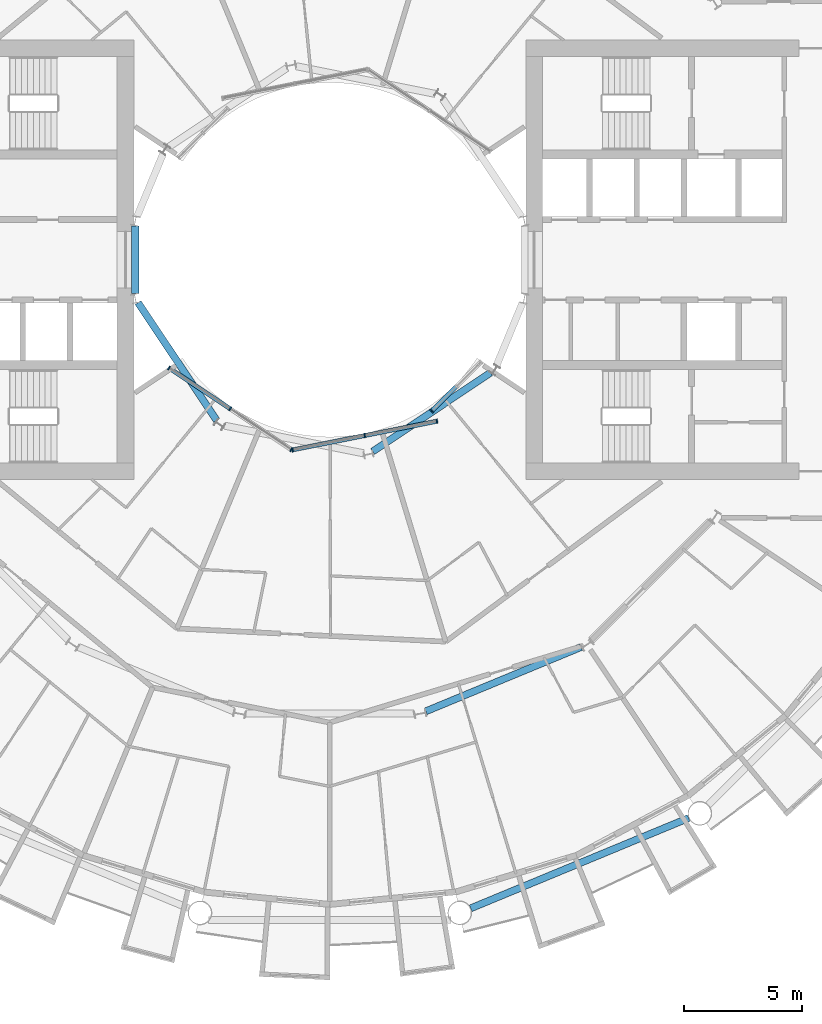
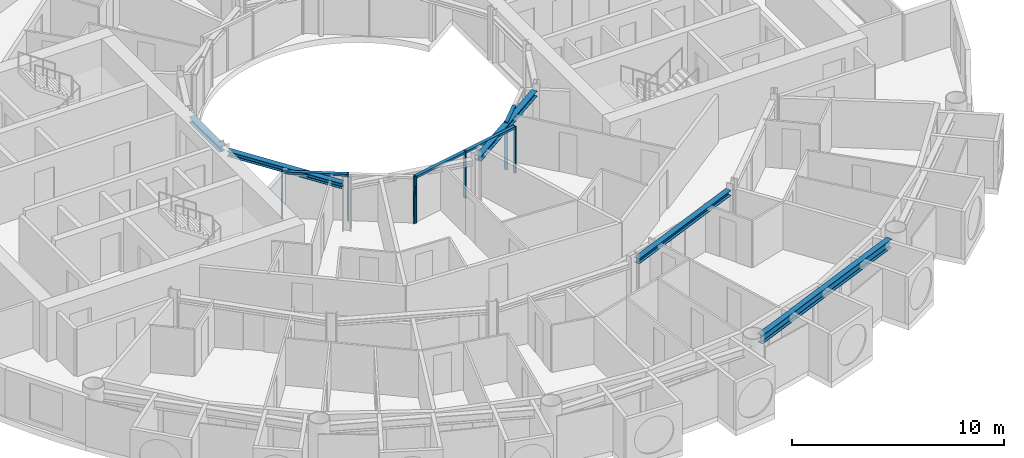
# One storey, part 5 of 26: 11 members, 5 beams, 3 elements without a shape of their own.
"""IFC4 building model written with IfcOpenShell, lengths in metres."""

from ifc_helpers import new_model, si_unit, direction, frame, origin, origin_2d, place, context, subcontext, project, spatial, rectangle, i_section, extrude, material, layer, layer_set, material_profile, profile_set, type_object, element, aggregate, save


model = new_model("IFC4")

# Units and contexts
model_context = context("Model", 3, precision=1e-05, world=origin(), true_north=direction((0.0, 1.0)))
body_context = subcontext(model_context, "Body", "Model", "MODEL_VIEW")
ifc_project = project(units=[si_unit("LENGTHUNIT", "METRE"), si_unit("AREAUNIT", "SQUARE_METRE"), si_unit("VOLUMEUNIT", "CUBIC_METRE"), si_unit("PLANEANGLEUNIT", "RADIAN"), si_unit("MASSUNIT", "GRAM", prefix="KILO")], contexts=[model_context])

# Site, building, storey
site_placement = place(None, origin())
site = spatial("IfcSite", under=ifc_project, at=site_placement, CompositionType="ELEMENT")
building_placement = place(site_placement, origin())
building = spatial("IfcBuilding", under=site, at=building_placement, Name="Maasbend Ring Residences", CompositionType="ELEMENT")
storey_placement = place(building_placement, frame((0.0, 0.0, 69.699951171875)))
storey = spatial("IfcBuildingStorey", under=building, at=storey_placement, Name="L19", CompositionType="ELEMENT", Elevation=69.699951171875)

# Curtain wall, members
ifc_material_1 = material(Name="Aluminium and clear glass", Category="aluminium")
ifc_layer = layer(ifc_material_1, 0.179931640625)
ifc_layer_set = layer_set([ifc_layer], Name="CW-W")
curtain_wall_type = type_object("IfcCurtainWallType", Name="CW-W", PredefinedType="NOTDEFINED", material=ifc_layer_set)
curtain_wall_1_placement = place(storey_placement, origin())
curtain_wall_1 = element("IfcCurtainWall", 1, at=curtain_wall_1_placement, inside=storey, type_object=curtain_wall_type, Name="Well curtain wall S1", PredefinedType="NOTDEFINED")
ifc_material_2 = material(Name="Aluminium 6063-T6", Category="aluminium")
ifc_material_profile_1 = material_profile(ifc_material_2, rectangle(XDim=0.179931640625, YDim=0.06005859375, at=origin_2d()), Name="AL 180x60")
ifc_profile_set_1 = profile_set([ifc_material_profile_1], Name="Aluminium 6063-T6")
member_type_1 = type_object("IfcMemberType", Name="CWM-W", PredefinedType="MULLION", material=ifc_profile_set_1)
member_1_placement = place(storey_placement, frame((-6.805908203125, -4.580810546875, 0.0), z_axis=(0.0, 0.0, 1.0), x_axis=(0.55557023302, 0.831469612303, 0.0)))
member_1 = element("IfcMember", 2, at=member_1_placement, type_object=member_type_1, Name="Mullion well face", PredefinedType="MULLION", context=body_context, shape_type="SweptSolid", body=[
    extrude(rectangle(XDim=0.179931640625, YDim=0.06005859375, at=origin_2d()), origin(), (0.0, 0.0, 1.0), 2.699951171875),
])
member_2_placement = place(storey_placement, frame((-4.216796875, -6.310791015625, 0.0), z_axis=(0.0, 0.0, 1.0), x_axis=(0.55557023302, 0.831469612303, 0.0)))
member_2 = element("IfcMember", 3, at=member_2_placement, type_object=member_type_1, Name="Mullion well face", PredefinedType="MULLION", context=body_context, shape_type="SweptSolid", body=[
    extrude(rectangle(XDim=0.179931640625, YDim=0.06005859375, at=origin_2d()), origin(), (0.0, 0.0, 1.0), 2.699951171875),
])
member_3_placement = place(storey_placement, frame((-1.627685546875, -8.040771484375, 0.0), z_axis=(0.0, 0.0, 1.0), x_axis=(0.55557023302, 0.831469612303, 0.0)))
member_3 = element("IfcMember", 4, at=member_3_placement, type_object=member_type_1, Name="Mullion well face", PredefinedType="MULLION", context=body_context, shape_type="SweptSolid", body=[
    extrude(rectangle(XDim=0.179931640625, YDim=0.06005859375, at=origin_2d()), origin(), (0.0, 0.0, 1.0), 2.699951171875),
])

curtain_wall_2_placement = place(storey_placement, origin())
curtain_wall_2 = element("IfcCurtainWall", 5, at=curtain_wall_2_placement, inside=storey, type_object=curtain_wall_type, Name="Well curtain wall S2", PredefinedType="NOTDEFINED")
member_4_placement = place(storey_placement, frame((-1.5732421875, -8.0517578125, 0.0), z_axis=(0.0, 0.0, 1.0), x_axis=(-0.195090322016, 0.980785280403, 0.0)))
member_4 = element("IfcMember", 6, at=member_4_placement, type_object=member_type_1, Name="Mullion well face", PredefinedType="MULLION", context=body_context, shape_type="SweptSolid", body=[
    extrude(rectangle(XDim=0.179931640625, YDim=0.06005859375, at=origin_2d()), origin(), (0.0, 0.0, 1.0), 2.699951171875),
])
member_5_placement = place(storey_placement, frame((1.480712890625, -7.444091796875, 0.0), z_axis=(0.0, 0.0, 1.0), x_axis=(-0.195090322016, 0.980785280403, 0.0)))
member_5 = element("IfcMember", 7, at=member_5_placement, type_object=member_type_1, Name="Mullion well face", PredefinedType="MULLION", context=body_context, shape_type="SweptSolid", body=[
    extrude(rectangle(XDim=0.179931640625, YDim=0.06005859375, at=origin_2d()), origin(), (0.0, 0.0, 1.0), 2.699951171875),
])
member_6_placement = place(storey_placement, frame((4.53466796875, -6.836669921875, 0.0), z_axis=(0.0, 0.0, 1.0), x_axis=(-0.195090322016, 0.980785280403, 0.0)))
member_6 = element("IfcMember", 8, at=member_6_placement, type_object=member_type_1, Name="Mullion well face", PredefinedType="MULLION", context=body_context, shape_type="SweptSolid", body=[
    extrude(rectangle(XDim=0.179931640625, YDim=0.06005859375, at=origin_2d()), origin(), (0.0, 0.0, 1.0), 2.699951171875),
])

# Curtain wall, member
curtain_wall_3_placement = place(storey_placement, origin())
curtain_wall_3 = element("IfcCurtainWall", 9, at=curtain_wall_3_placement, inside=storey, type_object=curtain_wall_type, Name="Well curtain wall S3", PredefinedType="NOTDEFINED")
member_7_placement = place(storey_placement, frame((4.320556640625, -6.413330078125, 0.0), z_axis=(0.0, 0.0, 1.0), x_axis=(-0.707106781187, 0.707106781187, 0.0)))
member_7 = element("IfcMember", 10, at=member_7_placement, type_object=member_type_1, Name="Mullion well face", PredefinedType="MULLION", context=body_context, shape_type="SweptSolid", body=[
    extrude(rectangle(XDim=0.179931640625, YDim=0.06005859375, at=origin_2d()), origin(), (0.0, 0.0, 1.0), 2.699951171875),
])

# Member
ifc_material_3 = material(Name="Aluminium 6063-T6", Category="aluminium")
ifc_material_profile_2 = material_profile(ifc_material_3, rectangle(XDim=0.179931640625, YDim=0.1201171875, at=origin_2d()), Name="AL 180x120")
ifc_profile_set_2 = profile_set([ifc_material_profile_2], Name="Aluminium 6063-T6")
member_type_2 = type_object("IfcMemberType", Name="CWT-W", PredefinedType="USERDEFINED", material=ifc_profile_set_2)
member_8_placement = place(storey_placement, frame((-6.781005859375, -4.59765625, 2.64013671875), z_axis=(0.831496422459, -0.555530106689, 0.0), x_axis=(0.555530106689, 0.831496422459, 0.0)))
member_8 = element("IfcMember", 11, at=member_8_placement, type_object=member_type_2, Name="Transom well face", ObjectType="TRANSOM", PredefinedType="USERDEFINED", context=body_context, shape_type="SweptSolid", body=[
    extrude(rectangle(XDim=0.179931640625, YDim=0.1201171875, at=origin_2d()), origin(), (0.0, 0.0, 1.0), 3.053955078125),
])

aggregate(curtain_wall_1, [member_1, member_2, member_3, member_8])

member_9_placement = place(storey_placement, frame((-1.5439453125, -8.0458984375, 2.64013671875), z_axis=(0.980776956105, 0.195132166424, 0.0), x_axis=(-0.195132166424, 0.980776956105, 0.0)))
member_9 = element("IfcMember", 12, at=member_9_placement, type_object=member_type_2, Name="Transom well face", ObjectType="TRANSOM", PredefinedType="USERDEFINED", context=body_context, shape_type="SweptSolid", body=[
    extrude(rectangle(XDim=0.179931640625, YDim=0.1201171875, at=origin_2d()), origin(), (0.0, 0.0, 1.0), 3.053955078125),
])

member_10_placement = place(storey_placement, frame((1.51025390625, -7.438232421875, 2.64013671875), z_axis=(0.980789210404, 0.19507056353, 0.0), x_axis=(-0.19507056353, 0.980789210404, 0.0)))
member_10 = element("IfcMember", 13, at=member_10_placement, type_object=member_type_2, Name="Transom well face", ObjectType="TRANSOM", PredefinedType="USERDEFINED", context=body_context, shape_type="SweptSolid", body=[
    extrude(rectangle(XDim=0.179931640625, YDim=0.1201171875, at=origin_2d()), origin(), (0.0, 0.0, 1.0), 3.0537109375),
])

aggregate(curtain_wall_2, [member_4, member_5, member_6, member_9, member_10])

member_11_placement = place(storey_placement, frame((4.341796875, -6.39208984375, 2.64013671875), z_axis=(0.707106781187, 0.707106781187, 0.0), x_axis=(-0.707106781187, 0.707106781187, 0.0)))
member_11 = element("IfcMember", 14, at=member_11_placement, type_object=member_type_2, Name="Transom well face", ObjectType="TRANSOM", PredefinedType="USERDEFINED", context=body_context, shape_type="SweptSolid", body=[
    extrude(rectangle(XDim=0.179931640625, YDim=0.1201171875, at=origin_2d()), origin(), (0.0, 0.0, 1.0), 1.419677734375),
])

aggregate(curtain_wall_3, [member_7, member_11])

# Beams
ifc_material_4 = material(Name="Steel S355J2", Category="steel")
ifc_material_profile_3 = material_profile(ifc_material_4, i_section(OverallWidth=0.300048828125, OverallDepth=0.300048828125, WebThickness=0.010986328125, FlangeThickness=0.01904296875, FilletRadius=0.027099609375, at=origin_2d()), Name="HEB 300")
ifc_profile_set_3 = profile_set([ifc_material_profile_3], Name="Steel S355J2")
beam_type_1 = type_object("IfcBeamType", Name="Corridor ring beam HEB 300", PredefinedType="BEAM", material=ifc_profile_set_3)
beam_1_placement = place(storey_placement, frame((4.070556640625, -19.12109375, 2.550048828125), z_axis=(0.923877113721, 0.382689271788, 0.0), x_axis=(-0.382689271788, 0.923877113721, 0.0)))
element("IfcBeam", 15, at=beam_1_placement, inside=storey, type_object=beam_type_1, Name="Corridor ring beam", PredefinedType="BEAM", context=body_context, shape_type="SweptSolid", body=[
    extrude(i_section(OverallWidth=0.300048828125, OverallDepth=0.300048828125, WebThickness=0.010986328125, FlangeThickness=0.01904296875, FilletRadius=0.027099609375, at=origin_2d()), origin(), (0.0, 0.0, 1.0), 7.11328125),
])
ifc_material_5 = material(Name="Steel S355J2", Category="steel")
ifc_material_profile_4 = material_profile(ifc_material_5, i_section(OverallWidth=0.300048828125, OverallDepth=0.5, WebThickness=0.014404296875, FlangeThickness=0.028076171875, FilletRadius=0.027099609375, at=origin_2d()), Name="HEB 500")
ifc_profile_set_4 = profile_set([ifc_material_profile_4], Name="Steel S355J2")
beam_type_2 = type_object("IfcBeamType", Name="Spandrel ring beam HEB 500", PredefinedType="SPANDREL", material=ifc_profile_set_4)
beam_2_placement = place(storey_placement, frame((5.970703125, -27.463623046875, 2.449951171875), z_axis=(0.923886337442, 0.382667003395, 0.0), x_axis=(-0.382667003395, 0.923886337442, 0.0)))
element("IfcBeam", 16, at=beam_2_placement, inside=storey, type_object=beam_type_2, Name="Spandrel ring beam", PredefinedType="SPANDREL", context=body_context, shape_type="SweptSolid", body=[
    extrude(i_section(OverallWidth=0.300048828125, OverallDepth=0.5, WebThickness=0.014404296875, FlangeThickness=0.028076171875, FilletRadius=0.027099609375, at=origin_2d()), origin(), (0.0, 0.0, 1.0), 9.9873046875),
])
ifc_material_6 = material(Name="Steel S355J2", Category="steel")
ifc_material_profile_5 = material_profile(ifc_material_6, i_section(OverallWidth=0.300048828125, OverallDepth=0.300048828125, WebThickness=0.010986328125, FlangeThickness=0.01904296875, FilletRadius=0.027099609375, at=origin_2d()), Name="HEB 300")
ifc_profile_set_5 = profile_set([ifc_material_profile_5], Name="Steel S355J2")
beam_type_3 = type_object("IfcBeamType", Name="Well edge beam HEB 300", PredefinedType="BEAM", material=ifc_profile_set_5)
beam_3_placement = place(storey_placement, frame((-8.238525390625, 1.434814453125, 2.550048828125), z_axis=(0.0, -1.0, 0.0), x_axis=(1.0, 0.0, 0.0)))
element("IfcBeam", 17, at=beam_3_placement, inside=storey, type_object=beam_type_3, Name="Well edge beam", PredefinedType="BEAM", context=body_context, shape_type="SweptSolid", body=[
    extrude(i_section(OverallWidth=0.300048828125, OverallDepth=0.300048828125, WebThickness=0.010986328125, FlangeThickness=0.01904296875, FilletRadius=0.027099609375, at=origin_2d()), origin(), (0.0, 0.0, 1.0), 2.86962890625),
])
for number, where, z_axis, x_axis, name in (
    (18, (-8.118408203125, -1.81884765625, 2.550048828125), (0.555592533493, -0.83145471117, 0.0), (0.83145471117, 0.555592533493, 0.0), "Well edge beam"),
    (19, (1.81884765625, -8.118408203125, 2.550048828125), (0.83145471117, 0.555592533493, 0.0), (-0.555592533493, 0.83145471117, 0.0), "Well edge beam"),
):
    element("IfcBeam", number, at=place(storey_placement, frame(where, z_axis=z_axis, x_axis=x_axis)), inside=storey, type_object=beam_type_3, Name=name, PredefinedType="BEAM", context=body_context, shape_type="SweptSolid", body=[
        extrude(i_section(OverallWidth=0.300048828125, OverallDepth=0.300048828125, WebThickness=0.010986328125, FlangeThickness=0.01904296875, FilletRadius=0.027099609375, at=origin_2d()), origin(), (0.0, 0.0, 1.0), 5.995849609375),
    ])

save(model, "model.ifc")
